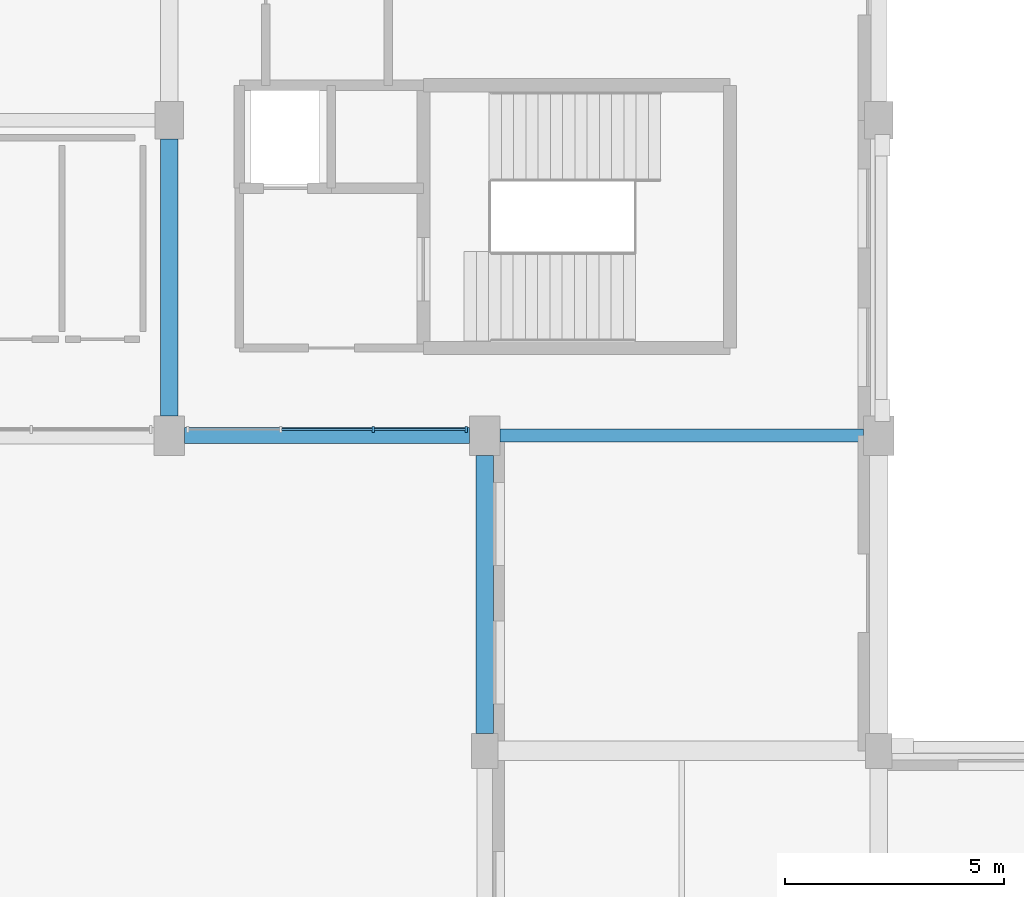
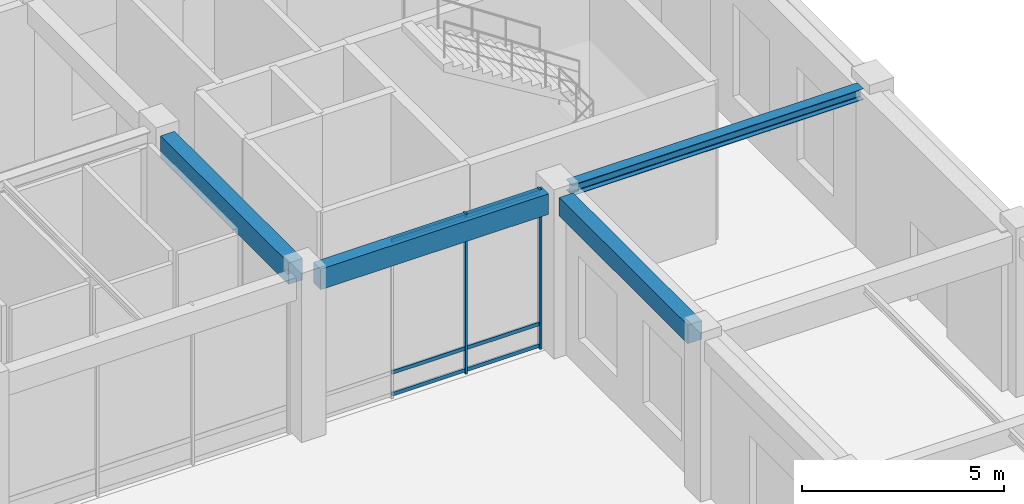
# One storey, part 28 of 64: 8 members, 4 beams, 1 element without a shape of its own.
"""IFC4 building model written with IfcOpenShell, lengths in metres."""

from ifc_helpers import new_model, si_unit, direction, frame, origin, origin_2d, place, context, subcontext, project, spatial, rectangle, i_section, extrude, material, material_profile, profile_set, type_object, element, aggregate, save


model = new_model("IFC4")

# Units and contexts
model_context = context("Model", 3, precision=1e-05, world=origin(), true_north=direction((0.0, 1.0)))
body_context = subcontext(model_context, "Body", "Model", "MODEL_VIEW")
ifc_project = project(units=[si_unit("LENGTHUNIT", "METRE"), si_unit("AREAUNIT", "SQUARE_METRE"), si_unit("VOLUMEUNIT", "CUBIC_METRE"), si_unit("PLANEANGLEUNIT", "RADIAN"), si_unit("MASSUNIT", "GRAM", prefix="KILO")], contexts=[model_context])

# Site, building, storey
site_placement = place(None, origin())
site = spatial("IfcSite", under=ifc_project, at=site_placement, CompositionType="ELEMENT")
building_placement = place(site_placement, origin())
building = spatial("IfcBuilding", under=site, at=building_placement, Name="Clarverna Civic Hall", CompositionType="ELEMENT")
storey_placement = place(building_placement, origin())
storey = spatial("IfcBuildingStorey", under=building, at=storey_placement, Name="L00", CompositionType="ELEMENT", Elevation=0.0)

# Beams
ifc_material_1 = material(Name="Concrete C35/45", Category="concrete")
ifc_material_profile_1 = material_profile(ifc_material_1, rectangle(XDim=0.39990234375, YDim=0.64990234375, at=origin_2d()), Name="RC 400x650")
ifc_profile_set_1 = profile_set([ifc_material_profile_1], Name="Concrete C35/45")
beam_type_1 = type_object("IfcBeamType", Name="B-RC6", PredefinedType="BEAM", material=ifc_profile_set_1)
beam_1_placement = place(storey_placement, frame((50.39990234375, 102.64990234375, 4.4951171875), z_axis=(0.0, 1.0, 0.0), x_axis=(-1.0, 0.0, 0.0)))
element("IfcBeam", 1, at=beam_1_placement, inside=storey, type_object=beam_type_1, Name="B-RC6-022", PredefinedType="BEAM", context=body_context, shape_type="SweptSolid", body=[
    extrude(rectangle(XDim=0.39990234375, YDim=0.64990234375, at=origin_2d()), origin(), (0.0, 0.0, 1.0), 6.3251953125),
])
ifc_material_profile_2 = material_profile(ifc_material_1, rectangle(XDim=0.360107421875, YDim=0.6201171875, at=origin_2d()), Name="RC 360x620")
ifc_profile_set_2 = profile_set([ifc_material_profile_2], Name="Concrete C35/45")
beam_type_2 = type_object("IfcBeamType", Name="B-SP3", PredefinedType="SPANDREL", material=ifc_profile_set_2)
beam_2_placement = place(storey_placement, frame((50.75, 102.199951171875, 4.510009765625), z_axis=(1.0, 0.0, 0.0), x_axis=(0.0, 1.0, 0.0)))
element("IfcBeam", 2, at=beam_2_placement, inside=storey, type_object=beam_type_2, Name="B-SP3-040", PredefinedType="SPANDREL", context=body_context, shape_type="SweptSolid", body=[
    extrude(rectangle(XDim=0.360107421875, YDim=0.6201171875, at=origin_2d()), origin(), (0.0, 0.0, 1.0), 6.5),
])
ifc_material_profile_3 = material_profile(ifc_material_1, rectangle(XDim=0.39990234375, YDim=0.56005859375, at=origin_2d()), Name="RC 400x560")
ifc_profile_set_3 = profile_set([ifc_material_profile_3], Name="Concrete C35/45")
beam_type_3 = type_object("IfcBeamType", Name="B-SP4", PredefinedType="SPANDREL", material=ifc_profile_set_3)
beam_3_placement = place(storey_placement, frame((57.60009765625, 95.39990234375, 4.5400390625), z_axis=(0.0, 1.0, 0.0), x_axis=(-1.0, 0.0, 0.0)))
element("IfcBeam", 3, at=beam_3_placement, inside=storey, type_object=beam_type_3, Name="B-SP4-045", PredefinedType="SPANDREL", context=body_context, shape_type="SweptSolid", body=[
    extrude(rectangle(XDim=0.39990234375, YDim=0.56005859375, at=origin_2d()), origin(), (0.0, 0.0, 1.0), 6.35009765625),
])
ifc_material_2 = material(Name="Steel S355", Category="steel")
ifc_material_profile_4 = material_profile(ifc_material_2, i_section(OverallWidth=0.300048828125, OverallDepth=0.330078125, WebThickness=0.009521484375, FlangeThickness=0.0166015625, FilletRadius=0.027099609375, at=origin_2d()), Name="HEA 340")
ifc_profile_set_4 = profile_set([ifc_material_profile_4], Name="Steel S355")
beam_type_4 = type_object("IfcBeamType", Name="B-ST8", PredefinedType="BEAM", material=ifc_profile_set_4)
beam_4_placement = place(storey_placement, frame((57.949951171875, 102.199951171875, 4.655029296875), z_axis=(1.0, 0.0, 0.0), x_axis=(0.0, 1.0, 0.0)))
element("IfcBeam", 4, at=beam_4_placement, inside=storey, type_object=beam_type_4, Name="B-ST8-026", PredefinedType="BEAM", context=body_context, shape_type="SweptSolid", body=[
    extrude(i_section(OverallWidth=0.300048828125, OverallDepth=0.330078125, WebThickness=0.009521484375, FlangeThickness=0.0166015625, FilletRadius=0.027099609375, at=origin_2d()), origin(), (0.0, 0.0, 1.0), 8.300048828125),
])

# Curtain wall, members
ifc_material_3 = material(Name="Anodised Bronze Architectural Aluminium", Category="aluminium")
curtain_wall_type = type_object("IfcCurtainWallType", Name="CW-04", PredefinedType="USERDEFINED", material=ifc_material_3)
curtain_wall_placement = place(storey_placement, origin())
curtain_wall = element("IfcCurtainWall", 5, at=curtain_wall_placement, inside=storey, type_object=curtain_wall_type, Name="CW-04-001", ObjectType="UNITISED CURTAIN WALL", PredefinedType="USERDEFINED")
ifc_material_profile_5 = material_profile(ifc_material_3, rectangle(XDim=0.054931640625, YDim=0.139892578125, at=origin_2d()), Name="BRONZE 55x140")
ifc_profile_set_5 = profile_set([ifc_material_profile_5], Name="Anodised Bronze Architectural Aluminium")
member_type_1 = type_object("IfcMemberType", Name="CWM-04", PredefinedType="MULLION", material=ifc_profile_set_5)
member_1_placement = place(storey_placement, frame((57.177001953125, 102.340087890625, 0.0), z_axis=(0.0, 0.0, 1.0), x_axis=(1.0, 0.0, 0.0)))
member_1 = element("IfcMember", 6, at=member_1_placement, type_object=member_type_1, Name="CWM-04-019", PredefinedType="MULLION", context=body_context, shape_type="SweptSolid", body=[
    extrude(rectangle(XDim=0.054931640625, YDim=0.139892578125, at=origin_2d()), origin(), (0.0, 0.0, 1.0), 4.820068359375),
])
member_2_placement = place(storey_placement, frame((55.05908203125, 102.340087890625, 0.0), z_axis=(0.0, 0.0, 1.0), x_axis=(1.0, 0.0, 0.0)))
member_2 = element("IfcMember", 7, at=member_2_placement, type_object=member_type_1, Name="CWM-04-020", PredefinedType="MULLION", context=body_context, shape_type="SweptSolid", body=[
    extrude(rectangle(XDim=0.054931640625, YDim=0.139892578125, at=origin_2d()), origin(), (0.0, 0.0, 1.0), 4.820068359375),
])
ifc_material_profile_6 = material_profile(ifc_material_3, rectangle(XDim=0.054931640625, YDim=0.110107421875, at=origin_2d()), Name="BRONZE 55x110")
ifc_profile_set_6 = profile_set([ifc_material_profile_6], Name="Anodised Bronze Architectural Aluminium")
member_type_2 = type_object("IfcMemberType", Name="CWT-04", PredefinedType="USERDEFINED", material=ifc_profile_set_6)
member_3_placement = place(storey_placement, frame((57.162109375, 102.340087890625, 0.094970703125), z_axis=(-1.0, 0.0, 0.0), x_axis=(0.0, -1.0, 0.0)))
member_3 = element("IfcMember", 8, at=member_3_placement, type_object=member_type_2, Name="CWT-04-037", ObjectType="TRANSOM", PredefinedType="USERDEFINED", context=body_context, shape_type="SweptSolid", body=[
    extrude(rectangle(XDim=0.054931640625, YDim=0.110107421875, at=origin_2d()), origin(), (0.0, 0.0, 1.0), 2.088134765625),
])
member_4_placement = place(storey_placement, frame((57.162109375, 102.340087890625, 0.75), z_axis=(-1.0, 0.0, 0.0), x_axis=(0.0, -1.0, 0.0)))
member_4 = element("IfcMember", 9, at=member_4_placement, type_object=member_type_2, Name="CWT-04-038", ObjectType="TRANSOM", PredefinedType="USERDEFINED", context=body_context, shape_type="SweptSolid", body=[
    extrude(rectangle(XDim=0.054931640625, YDim=0.110107421875, at=origin_2d()), origin(), (0.0, 0.0, 1.0), 2.088134765625),
])
member_5_placement = place(storey_placement, frame((57.162109375, 102.340087890625, 4.72509765625), z_axis=(-1.0, 0.0, 0.0), x_axis=(0.0, -1.0, 0.0)))
member_5 = element("IfcMember", 10, at=member_5_placement, type_object=member_type_2, Name="CWT-04-039", ObjectType="TRANSOM", PredefinedType="USERDEFINED", context=body_context, shape_type="SweptSolid", body=[
    extrude(rectangle(XDim=0.054931640625, YDim=0.110107421875, at=origin_2d()), origin(), (0.0, 0.0, 1.0), 2.088134765625),
])
member_6_placement = place(storey_placement, frame((55.0439453125, 102.340087890625, 0.094970703125), z_axis=(-1.0, 0.0, 0.0), x_axis=(0.0, -1.0, 0.0)))
member_6 = element("IfcMember", 11, at=member_6_placement, type_object=member_type_2, Name="CWT-04-040", ObjectType="TRANSOM", PredefinedType="USERDEFINED", context=body_context, shape_type="SweptSolid", body=[
    extrude(rectangle(XDim=0.054931640625, YDim=0.110107421875, at=origin_2d()), origin(), (0.0, 0.0, 1.0), 2.087890625),
])
member_7_placement = place(storey_placement, frame((55.0439453125, 102.340087890625, 0.75), z_axis=(-1.0, 0.0, 0.0), x_axis=(0.0, -1.0, 0.0)))
member_7 = element("IfcMember", 12, at=member_7_placement, type_object=member_type_2, Name="CWT-04-041", ObjectType="TRANSOM", PredefinedType="USERDEFINED", context=body_context, shape_type="SweptSolid", body=[
    extrude(rectangle(XDim=0.054931640625, YDim=0.110107421875, at=origin_2d()), origin(), (0.0, 0.0, 1.0), 2.087890625),
])
member_8_placement = place(storey_placement, frame((55.0439453125, 102.340087890625, 4.72509765625), z_axis=(-1.0, 0.0, 0.0), x_axis=(0.0, -1.0, 0.0)))
member_8 = element("IfcMember", 13, at=member_8_placement, type_object=member_type_2, Name="CWT-04-042", ObjectType="TRANSOM", PredefinedType="USERDEFINED", context=body_context, shape_type="SweptSolid", body=[
    extrude(rectangle(XDim=0.054931640625, YDim=0.110107421875, at=origin_2d()), origin(), (0.0, 0.0, 1.0), 2.087890625),
])
aggregate(curtain_wall, [member_1, member_2, member_3, member_4, member_5, member_6, member_7, member_8])

save(model, "model.ifc")
